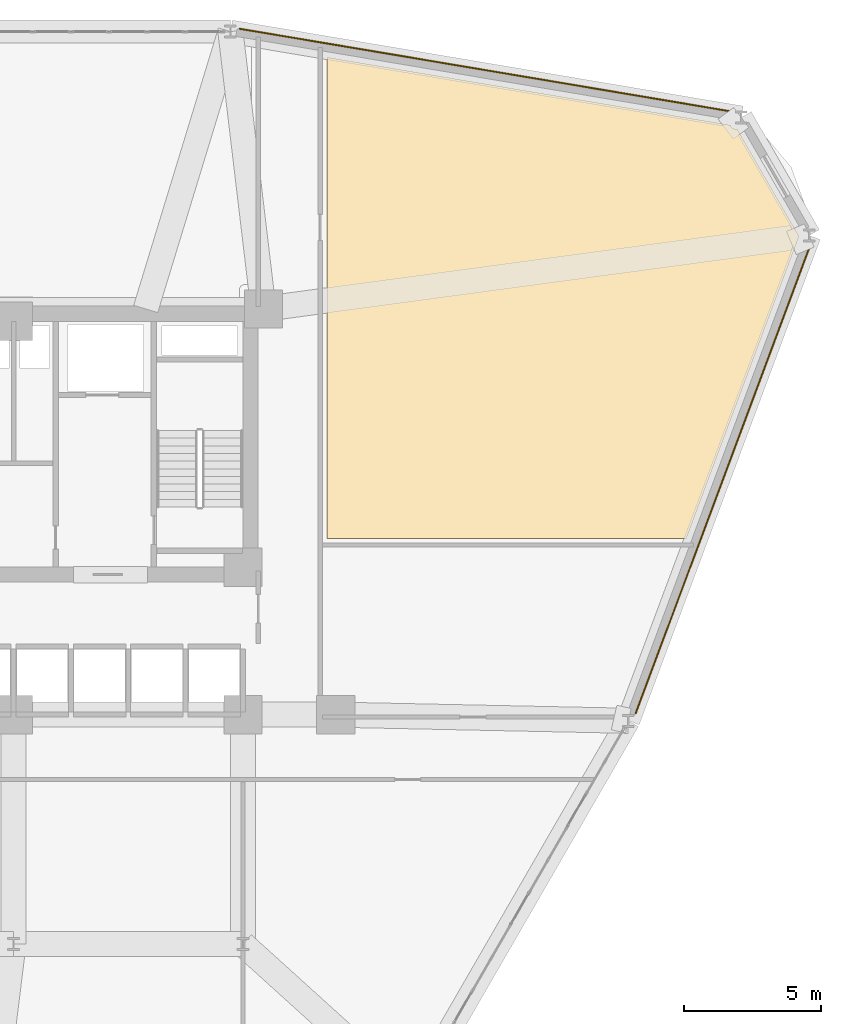
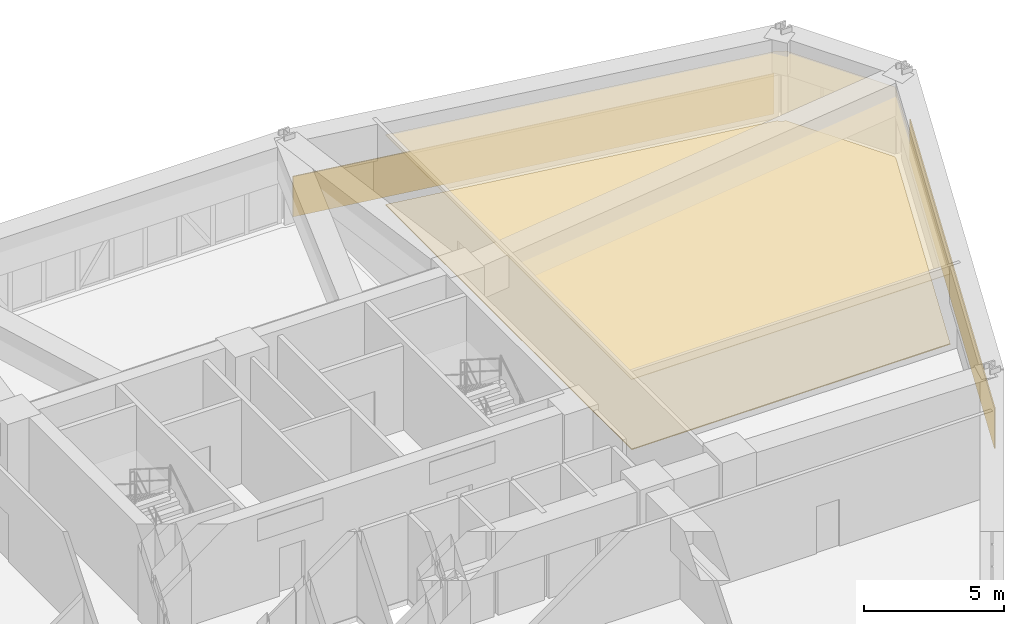
# One storey, part 20 of 20: 4 coverings.
"""IFC4 building model written with IfcOpenShell, lengths in metres."""

from ifc_helpers import new_model, si_unit, derived_unit, direction, frame, origin, place, context, subcontext, project, spatial, polyline, outline, extrude, material, layer, layer_set, type_object, element, save


model = new_model("IFC4")

# Units and contexts
model_context = context("Model", 3, precision=1e-05, world=origin(), true_north=direction((0.0, 1.0)))
body_context = subcontext(model_context, "Body", "Model", "MODEL_VIEW")
ifc_project = project(units=[si_unit("LENGTHUNIT", "METRE"), si_unit("AREAUNIT", "SQUARE_METRE"), si_unit("VOLUMEUNIT", "CUBIC_METRE"), si_unit("PLANEANGLEUNIT", "RADIAN"), si_unit("MASSUNIT", "GRAM", prefix="KILO"), derived_unit("THERMALTRANSMITTANCEUNIT", [(si_unit("POWERUNIT", "WATT"), 1), (si_unit("LENGTHUNIT", "METRE"), -2), (si_unit("THERMODYNAMICTEMPERATUREUNIT", "KELVIN"), -1)])], contexts=[model_context])

# Site, building, storey
site_placement = place(None, origin())
site = spatial("IfcSite", under=ifc_project, at=site_placement, CompositionType="ELEMENT")
building_placement = place(site_placement, origin())
building = spatial("IfcBuilding", under=site, at=building_placement, Name="Korsvarv Bourse and Concert Hall", CompositionType="ELEMENT")
storey_placement = place(building_placement, frame((0.0, 0.0, 43.5)))
storey = spatial("IfcBuildingStorey", under=building, at=storey_placement, Name="L10", CompositionType="ELEMENT", Elevation=43.5)

# Coverings
ifc_material_1 = material(Name="Perforated mineral-wool and birch acoustic baffle ceiling", Category="wood")
ifc_layer_1 = layer(ifc_material_1, 0.02490234375)
ifc_layer_set_1 = layer_set([ifc_layer_1], Name="Perforated mineral-wool and birch acoustic baffle ceiling")
covering_type_1 = type_object("IfcCoveringType", Name="COV-CEIL-1", PredefinedType="CEILING", material=ifc_layer_set_1)
covering_1_placement = place(storey_placement, frame((0.0, 0.0, 3.06005859375)))
element("IfcCovering", 1, at=covering_1_placement, inside=storey, type_object=covering_type_1, Name="L10 acoustic baffle ceiling 1", PredefinedType="CEILING", context=body_context, shape_type="SweptSolid", body=[
    extrude(outline(polyline([(47.47998046875, 56.461669921875), (62.239990234375, 53.9794921875), (62.24951171875, 53.94970703125), (62.26708984375, 53.91796875), (62.290771484375, 53.890380859375), (62.3193359375, 53.867919921875), (62.351806640625, 53.851806640625), (62.386962890625, 53.842529296875), (62.48779296875, 53.836181640625), (64.727783203125, 49.9560546875), (64.727783203125, 49.834716796875), (60.630859375, 38.85009765625), (47.47998046875, 38.85009765625), (47.47998046875, 56.461669921875)])), origin(), (0.0, 0.0, 1.0), 0.02490234375),
])
ifc_material_2 = material(Name="Warm iron-oxide extruded terracotta rainscreen tile", Category="ceramic")
ifc_layer_2 = layer(ifc_material_2, 0.044921875)
ifc_layer_set_2 = layer_set([ifc_layer_2], Name="Warm iron-oxide extruded terracotta rainscreen tile")
covering_type_2 = type_object("IfcCoveringType", Name="COV-CLD-TC", PredefinedType="CLADDING", material=ifc_layer_set_2)
covering_2_placement = place(storey_placement, origin())
element("IfcCovering", 2, at=covering_2_placement, inside=storey, type_object=covering_type_2, Name="L10 fluted terracotta cladding panel EW-L10-B02", PredefinedType="CLADDING", context=body_context, shape_type="SweptSolid", body=[
    extrude(outline(polyline([(62.363525390625, 54.440185546875), (44.259521484375, 57.48486328125), (44.266845703125, 57.529296875), (62.37109375, 54.484619140625), (62.363525390625, 54.440185546875)])), origin(), (0.0, 0.0, 1.0), 1.760009765625),
])
covering_3_placement = place(storey_placement, origin())
element("IfcCovering", 3, at=covering_3_placement, inside=storey, type_object=covering_type_2, Name="L10 fluted terracotta cladding panel EW-L10-B12", PredefinedType="CLADDING", context=body_context, shape_type="SweptSolid", body=[
    extrude(outline(polyline([(58.74951171875, 32.4462890625), (65.13818359375, 49.57568359375), (65.180419921875, 49.559814453125), (58.791748046875, 32.430419921875), (58.74951171875, 32.4462890625)])), origin(), (0.0, 0.0, 1.0), 1.760009765625),
])
ifc_material_3 = material(Name="Calcium-sulphate raised access trading floor with Nordic oak top", Category="wood")
ifc_layer_3 = layer(ifc_material_3, 0.0400390625)
ifc_layer_set_3 = layer_set([ifc_layer_3], Name="Calcium-sulphate raised access trading floor with Nordic oak top")
covering_type_3 = type_object("IfcCoveringType", Name="COV-FLOR-1", PredefinedType="FLOORING", material=ifc_layer_set_3)
covering_4_placement = place(storey_placement, origin())
element("IfcCovering", 4, at=covering_4_placement, inside=storey, type_object=covering_type_3, Name="L10 raised access oak floor finish 1", PredefinedType="FLOORING", context=body_context, shape_type="SweptSolid", body=[
    extrude(outline(polyline([(47.47998046875, 56.461669921875), (62.239990234375, 53.9794921875), (62.24951171875, 53.94970703125), (62.26708984375, 53.91796875), (62.290771484375, 53.890380859375), (62.3193359375, 53.867919921875), (62.351806640625, 53.851806640625), (62.386962890625, 53.842529296875), (62.48779296875, 53.836181640625), (64.727783203125, 49.9560546875), (64.727783203125, 49.834716796875), (60.630859375, 38.85009765625), (47.47998046875, 38.85009765625), (47.47998046875, 56.461669921875)])), origin(), (0.0, 0.0, 1.0), 0.0400390625),
])

save(model, "model.ifc")
